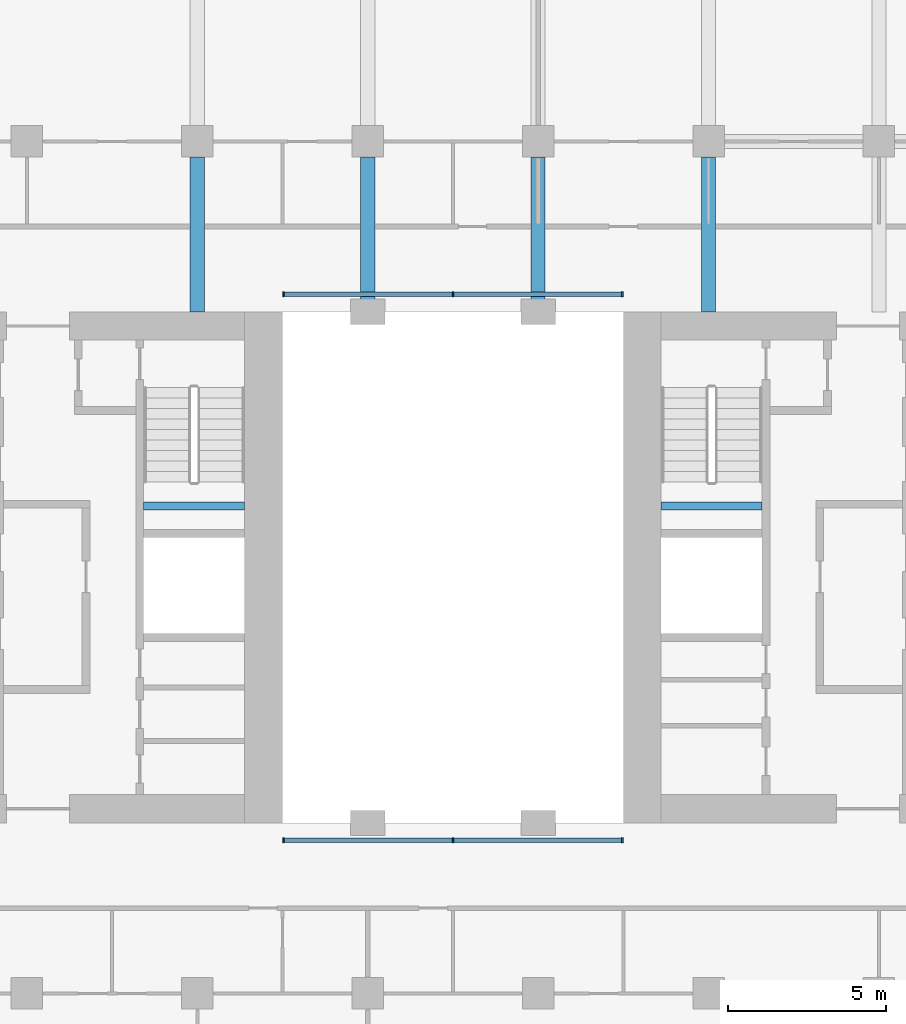
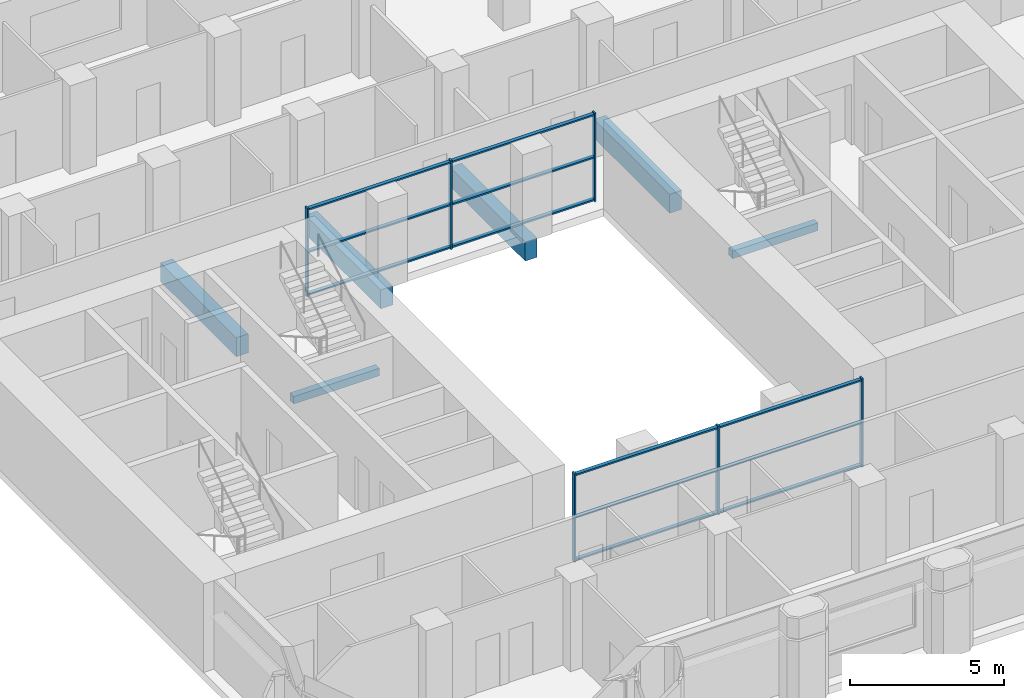
# One storey, part 2 of 10: 18 members, 6 beams, 2 elements without a shape of their own.
"""IFC4 building model written with IfcOpenShell, lengths in metres."""

from ifc_helpers import new_model, si_unit, direction, frame, origin, origin_2d, place, context, subcontext, project, spatial, rectangle, extrude, material, material_profile, profile_set, type_object, element, aggregate, save


model = new_model("IFC4")

# Units and contexts
model_context = context("Model", 3, precision=1e-05, world=origin(), true_north=direction((0.0, 1.0)))
body_context = subcontext(model_context, "Body", "Model", "MODEL_VIEW")
ifc_project = project(units=[si_unit("LENGTHUNIT", "METRE"), si_unit("AREAUNIT", "SQUARE_METRE"), si_unit("VOLUMEUNIT", "CUBIC_METRE"), si_unit("PLANEANGLEUNIT", "RADIAN"), si_unit("MASSUNIT", "GRAM", prefix="KILO")], contexts=[model_context])

# Site, building, storey
site_placement = place(None, origin())
site = spatial("IfcSite", under=ifc_project, at=site_placement, CompositionType="ELEMENT")
building_placement = place(site_placement, origin())
building = spatial("IfcBuilding", under=site, at=building_placement, Name="Tabaq Tower and Sports Hall", CompositionType="ELEMENT")
storey_placement = place(building_placement, frame((0.0, 0.0, 87.800048828125)))
storey = spatial("IfcBuildingStorey", under=building, at=storey_placement, Name="L20", CompositionType="ELEMENT", Elevation=87.800048828125)

# Curtain wall, members
ifc_material_1 = material(Name="Aluminium alloy 6063-T6 framed glazing", Category="aluminium")
curtain_wall_type = type_object("IfcCurtainWallType", Name="CW1 curtain wall", PredefinedType="USERDEFINED", material=ifc_material_1)
curtain_wall_1_placement = place(storey_placement, origin())
curtain_wall_1 = element("IfcCurtainWall", 1, at=curtain_wall_1_placement, inside=storey, type_object=curtain_wall_type, Name="Atrium glazing L20 S", ObjectType="ATRIUM ENCLOSURE", PredefinedType="USERDEFINED")
ifc_material_2 = material(Name="Aluminium alloy 6063-T6", Category="aluminium")
ifc_material_profile_1 = material_profile(ifc_material_2, rectangle(XDim=0.159912109375, YDim=0.06005859375, at=origin_2d()), Name="MULLION 160x60")
ifc_profile_set_1 = profile_set([ifc_material_profile_1], Name="Aluminium alloy 6063-T6")
member_type_1 = type_object("IfcMemberType", Name="CW1 mullion 160x60", PredefinedType="MULLION", material=ifc_profile_set_1)
member_1_placement = place(storey_placement, frame((18.929931640625, 15.64990234375, 0.0), z_axis=(0.0, 0.0, 1.0), x_axis=(0.0, 1.0, 0.0)))
member_1 = element("IfcMember", 2, at=member_1_placement, type_object=member_type_1, Name="CW1 mullion 1", PredefinedType="MULLION", context=body_context, shape_type="SweptSolid", body=[
    extrude(rectangle(XDim=0.159912109375, YDim=0.06005859375, at=origin_2d()), origin(), (0.0, 0.0, 1.0), 3.5),
])
member_2_placement = place(storey_placement, frame((24.300048828125, 15.64990234375, 0.0), z_axis=(0.0, 0.0, 1.0), x_axis=(0.0, 1.0, 0.0)))
member_2 = element("IfcMember", 3, at=member_2_placement, type_object=member_type_1, Name="CW1 mullion 2", PredefinedType="MULLION", context=body_context, shape_type="SweptSolid", body=[
    extrude(rectangle(XDim=0.159912109375, YDim=0.06005859375, at=origin_2d()), origin(), (0.0, 0.0, 1.0), 3.5),
])
member_3_placement = place(storey_placement, frame((29.669921875, 15.64990234375, 0.0), z_axis=(0.0, 0.0, 1.0), x_axis=(0.0, 1.0, 0.0)))
member_3 = element("IfcMember", 4, at=member_3_placement, type_object=member_type_1, Name="CW1 mullion 3", PredefinedType="MULLION", context=body_context, shape_type="SweptSolid", body=[
    extrude(rectangle(XDim=0.159912109375, YDim=0.06005859375, at=origin_2d()), origin(), (0.0, 0.0, 1.0), 3.5),
])

curtain_wall_2_placement = place(storey_placement, origin())
curtain_wall_2 = element("IfcCurtainWall", 5, at=curtain_wall_2_placement, inside=storey, type_object=curtain_wall_type, Name="Atrium glazing L20 N", ObjectType="ATRIUM ENCLOSURE", PredefinedType="USERDEFINED")
member_4_placement = place(storey_placement, frame((18.929931640625, 32.949951171875, 0.0), z_axis=(0.0, 0.0, 1.0), x_axis=(0.0, 1.0, 0.0)))
member_4 = element("IfcMember", 6, at=member_4_placement, type_object=member_type_1, Name="CW1 mullion 1", PredefinedType="MULLION", context=body_context, shape_type="SweptSolid", body=[
    extrude(rectangle(XDim=0.159912109375, YDim=0.06005859375, at=origin_2d()), origin(), (0.0, 0.0, 1.0), 3.5),
])
member_5_placement = place(storey_placement, frame((24.300048828125, 32.949951171875, 0.0), z_axis=(0.0, 0.0, 1.0), x_axis=(0.0, 1.0, 0.0)))
member_5 = element("IfcMember", 7, at=member_5_placement, type_object=member_type_1, Name="CW1 mullion 2", PredefinedType="MULLION", context=body_context, shape_type="SweptSolid", body=[
    extrude(rectangle(XDim=0.159912109375, YDim=0.06005859375, at=origin_2d()), origin(), (0.0, 0.0, 1.0), 3.5),
])
member_6_placement = place(storey_placement, frame((29.669921875, 32.949951171875, 0.0), z_axis=(0.0, 0.0, 1.0), x_axis=(0.0, 1.0, 0.0)))
member_6 = element("IfcMember", 8, at=member_6_placement, type_object=member_type_1, Name="CW1 mullion 3", PredefinedType="MULLION", context=body_context, shape_type="SweptSolid", body=[
    extrude(rectangle(XDim=0.159912109375, YDim=0.06005859375, at=origin_2d()), origin(), (0.0, 0.0, 1.0), 3.5),
])

# Member
ifc_material_3 = material(Name="Aluminium alloy 6063-T6", Category="aluminium")
ifc_material_profile_2 = material_profile(ifc_material_3, rectangle(XDim=0.139892578125, YDim=0.06005859375, at=origin_2d()), Name="TRANSOM 140x60")
ifc_profile_set_2 = profile_set([ifc_material_profile_2], Name="Aluminium alloy 6063-T6")
member_type_2 = type_object("IfcMemberType", Name="CW1 transom 140x60", PredefinedType="USERDEFINED", material=ifc_profile_set_2)
member_7_placement = place(storey_placement, frame((18.9599609375, 15.64990234375, 0.070068359375), z_axis=(1.0, 0.0, 0.0), x_axis=(0.0, 1.0, 0.0)))
member_7 = element("IfcMember", 9, at=member_7_placement, type_object=member_type_2, Name="CW1 transom 1.1", ObjectType="TRANSOM", PredefinedType="USERDEFINED", context=body_context, shape_type="SweptSolid", body=[
    extrude(rectangle(XDim=0.139892578125, YDim=0.06005859375, at=origin_2d()), origin(), (0.0, 0.0, 1.0), 5.31005859375),
])

member_8_placement = place(storey_placement, frame((18.9599609375, 15.64990234375, 1.75), z_axis=(1.0, 0.0, 0.0), x_axis=(0.0, 1.0, 0.0)))
member_8 = element("IfcMember", 10, at=member_8_placement, type_object=member_type_2, Name="CW1 transom 1.2", ObjectType="TRANSOM", PredefinedType="USERDEFINED", context=body_context, shape_type="SweptSolid", body=[
    extrude(rectangle(XDim=0.139892578125, YDim=0.06005859375, at=origin_2d()), origin(), (0.0, 0.0, 1.0), 5.31005859375),
])

member_9_placement = place(storey_placement, frame((18.9599609375, 15.64990234375, 3.429931640625), z_axis=(1.0, 0.0, 0.0), x_axis=(0.0, 1.0, 0.0)))
member_9 = element("IfcMember", 11, at=member_9_placement, type_object=member_type_2, Name="CW1 transom 1.3", ObjectType="TRANSOM", PredefinedType="USERDEFINED", context=body_context, shape_type="SweptSolid", body=[
    extrude(rectangle(XDim=0.139892578125, YDim=0.06005859375, at=origin_2d()), origin(), (0.0, 0.0, 1.0), 5.31005859375),
])

member_10_placement = place(storey_placement, frame((24.330078125, 15.64990234375, 0.070068359375), z_axis=(1.0, 0.0, 0.0), x_axis=(0.0, 1.0, 0.0)))
member_10 = element("IfcMember", 12, at=member_10_placement, type_object=member_type_2, Name="CW1 transom 2.1", ObjectType="TRANSOM", PredefinedType="USERDEFINED", context=body_context, shape_type="SweptSolid", body=[
    extrude(rectangle(XDim=0.139892578125, YDim=0.06005859375, at=origin_2d()), origin(), (0.0, 0.0, 1.0), 5.309814453125),
])

member_11_placement = place(storey_placement, frame((24.330078125, 15.64990234375, 1.75), z_axis=(1.0, 0.0, 0.0), x_axis=(0.0, 1.0, 0.0)))
member_11 = element("IfcMember", 13, at=member_11_placement, type_object=member_type_2, Name="CW1 transom 2.2", ObjectType="TRANSOM", PredefinedType="USERDEFINED", context=body_context, shape_type="SweptSolid", body=[
    extrude(rectangle(XDim=0.139892578125, YDim=0.06005859375, at=origin_2d()), origin(), (0.0, 0.0, 1.0), 5.309814453125),
])

member_12_placement = place(storey_placement, frame((24.330078125, 15.64990234375, 3.429931640625), z_axis=(1.0, 0.0, 0.0), x_axis=(0.0, 1.0, 0.0)))
member_12 = element("IfcMember", 14, at=member_12_placement, type_object=member_type_2, Name="CW1 transom 2.3", ObjectType="TRANSOM", PredefinedType="USERDEFINED", context=body_context, shape_type="SweptSolid", body=[
    extrude(rectangle(XDim=0.139892578125, YDim=0.06005859375, at=origin_2d()), origin(), (0.0, 0.0, 1.0), 5.309814453125),
])

aggregate(curtain_wall_1, [member_1, member_2, member_3, member_7, member_8, member_9, member_10, member_11, member_12])

member_13_placement = place(storey_placement, frame((18.9599609375, 32.949951171875, 0.070068359375), z_axis=(1.0, 0.0, 0.0), x_axis=(0.0, 1.0, 0.0)))
member_13 = element("IfcMember", 15, at=member_13_placement, type_object=member_type_2, Name="CW1 transom 1.1", ObjectType="TRANSOM", PredefinedType="USERDEFINED", context=body_context, shape_type="SweptSolid", body=[
    extrude(rectangle(XDim=0.139892578125, YDim=0.06005859375, at=origin_2d()), origin(), (0.0, 0.0, 1.0), 5.31005859375),
])

member_14_placement = place(storey_placement, frame((18.9599609375, 32.949951171875, 1.75), z_axis=(1.0, 0.0, 0.0), x_axis=(0.0, 1.0, 0.0)))
member_14 = element("IfcMember", 16, at=member_14_placement, type_object=member_type_2, Name="CW1 transom 1.2", ObjectType="TRANSOM", PredefinedType="USERDEFINED", context=body_context, shape_type="SweptSolid", body=[
    extrude(rectangle(XDim=0.139892578125, YDim=0.06005859375, at=origin_2d()), origin(), (0.0, 0.0, 1.0), 5.31005859375),
])

member_15_placement = place(storey_placement, frame((18.9599609375, 32.949951171875, 3.429931640625), z_axis=(1.0, 0.0, 0.0), x_axis=(0.0, 1.0, 0.0)))
member_15 = element("IfcMember", 17, at=member_15_placement, type_object=member_type_2, Name="CW1 transom 1.3", ObjectType="TRANSOM", PredefinedType="USERDEFINED", context=body_context, shape_type="SweptSolid", body=[
    extrude(rectangle(XDim=0.139892578125, YDim=0.06005859375, at=origin_2d()), origin(), (0.0, 0.0, 1.0), 5.31005859375),
])

member_16_placement = place(storey_placement, frame((24.330078125, 32.949951171875, 0.070068359375), z_axis=(1.0, 0.0, 0.0), x_axis=(0.0, 1.0, 0.0)))
member_16 = element("IfcMember", 18, at=member_16_placement, type_object=member_type_2, Name="CW1 transom 2.1", ObjectType="TRANSOM", PredefinedType="USERDEFINED", context=body_context, shape_type="SweptSolid", body=[
    extrude(rectangle(XDim=0.139892578125, YDim=0.06005859375, at=origin_2d()), origin(), (0.0, 0.0, 1.0), 5.309814453125),
])

member_17_placement = place(storey_placement, frame((24.330078125, 32.949951171875, 1.75), z_axis=(1.0, 0.0, 0.0), x_axis=(0.0, 1.0, 0.0)))
member_17 = element("IfcMember", 19, at=member_17_placement, type_object=member_type_2, Name="CW1 transom 2.2", ObjectType="TRANSOM", PredefinedType="USERDEFINED", context=body_context, shape_type="SweptSolid", body=[
    extrude(rectangle(XDim=0.139892578125, YDim=0.06005859375, at=origin_2d()), origin(), (0.0, 0.0, 1.0), 5.309814453125),
])

member_18_placement = place(storey_placement, frame((24.330078125, 32.949951171875, 3.429931640625), z_axis=(1.0, 0.0, 0.0), x_axis=(0.0, 1.0, 0.0)))
member_18 = element("IfcMember", 20, at=member_18_placement, type_object=member_type_2, Name="CW1 transom 2.3", ObjectType="TRANSOM", PredefinedType="USERDEFINED", context=body_context, shape_type="SweptSolid", body=[
    extrude(rectangle(XDim=0.139892578125, YDim=0.06005859375, at=origin_2d()), origin(), (0.0, 0.0, 1.0), 5.309814453125),
])

aggregate(curtain_wall_2, [member_4, member_5, member_6, member_13, member_14, member_15, member_16, member_17, member_18])

# Beams
ifc_material_4 = material(Name="Concrete C40/50", Category="concrete")
ifc_material_profile_3 = material_profile(ifc_material_4, rectangle(XDim=0.449951171875, YDim=0.75, at=origin_2d()), Name="CB 450x750")
ifc_profile_set_3 = profile_set([ifc_material_profile_3], Name="Concrete C40/50")
beam_type_1 = type_object("IfcBeamType", Name="PT CANTILEVER BEAM CB 450x750 C40/50", PredefinedType="BEAM", material=ifc_profile_set_3)
for number, where, z_axis, x_axis, name in (
    (21, (16.199951171875, 37.300048828125, -0.675048828125), (0.0, -1.0, 0.0), (1.0, 0.0, 0.0), "Cantilever Beam L20 N3 span 3"),
    (22, (21.60009765625, 37.300048828125, -0.675048828125), (0.0, -1.0, 0.0), (1.0, 0.0, 0.0), "Cantilever Beam L20 N4 span 3"),
    (23, (27.0, 37.300048828125, -0.675048828125), (0.0, -1.0, 0.0), (1.0, 0.0, 0.0), "Cantilever Beam L20 N5 span 3"),
    (24, (32.39990234375, 37.300048828125, -0.675048828125), (0.0, -1.0, 0.0), (1.0, 0.0, 0.0), "Cantilever Beam L20 N6 span 3"),
):
    element("IfcBeam", number, at=place(storey_placement, frame(where, z_axis=z_axis, x_axis=x_axis)), inside=storey, type_object=beam_type_1, Name=name, PredefinedType="BEAM", context=body_context, shape_type="SweptSolid", body=[
        extrude(rectangle(XDim=0.449951171875, YDim=0.75, at=origin_2d()), origin(), (0.0, 0.0, 1.0), 4.900146484375),
    ])
ifc_material_5 = material(Name="Concrete C40/50", Category="concrete")
ifc_material_profile_4 = material_profile(ifc_material_5, rectangle(XDim=0.25, YDim=0.300048828125, at=origin_2d()), Name="RC 250x300")
ifc_profile_set_4 = profile_set([ifc_material_profile_4], Name="Concrete C40/50")
beam_type_2 = type_object("IfcBeamType", Name="Stair landing beam 250x300", PredefinedType="BEAM", material=ifc_profile_set_4)
beam_1_placement = place(storey_placement, frame((14.5, 26.25, 1.550048828125), z_axis=(1.0, 0.0, 0.0), x_axis=(0.0, 1.0, 0.0)))
element("IfcBeam", 25, at=beam_1_placement, inside=storey, type_object=beam_type_2, Name="L20 ST2 landing beam 1", PredefinedType="BEAM", context=body_context, shape_type="SweptSolid", body=[
    extrude(rectangle(XDim=0.25, YDim=0.300048828125, at=origin_2d()), origin(), (0.0, 0.0, 1.0), 3.199951171875),
])
beam_2_placement = place(storey_placement, frame((30.89990234375, 26.25, 1.550048828125), z_axis=(1.0, 0.0, 0.0), x_axis=(0.0, 1.0, 0.0)))
element("IfcBeam", 26, at=beam_2_placement, inside=storey, type_object=beam_type_2, Name="L20 ST4 landing beam 1", PredefinedType="BEAM", context=body_context, shape_type="SweptSolid", body=[
    extrude(rectangle(XDim=0.25, YDim=0.300048828125, at=origin_2d()), origin(), (0.0, 0.0, 1.0), 3.2001953125),
])

save(model, "model.ifc")
